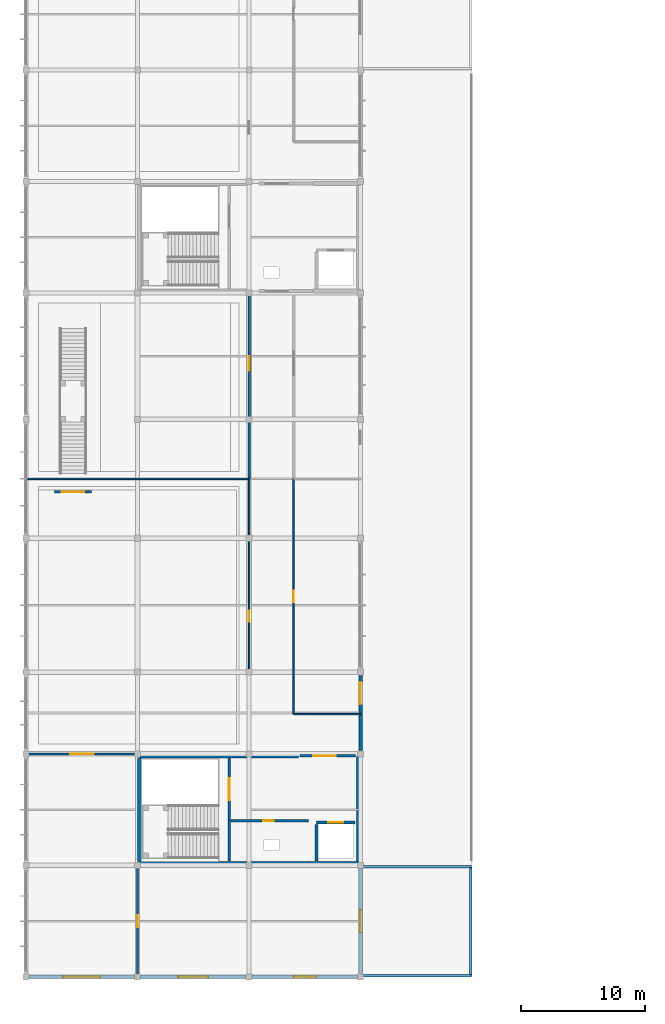
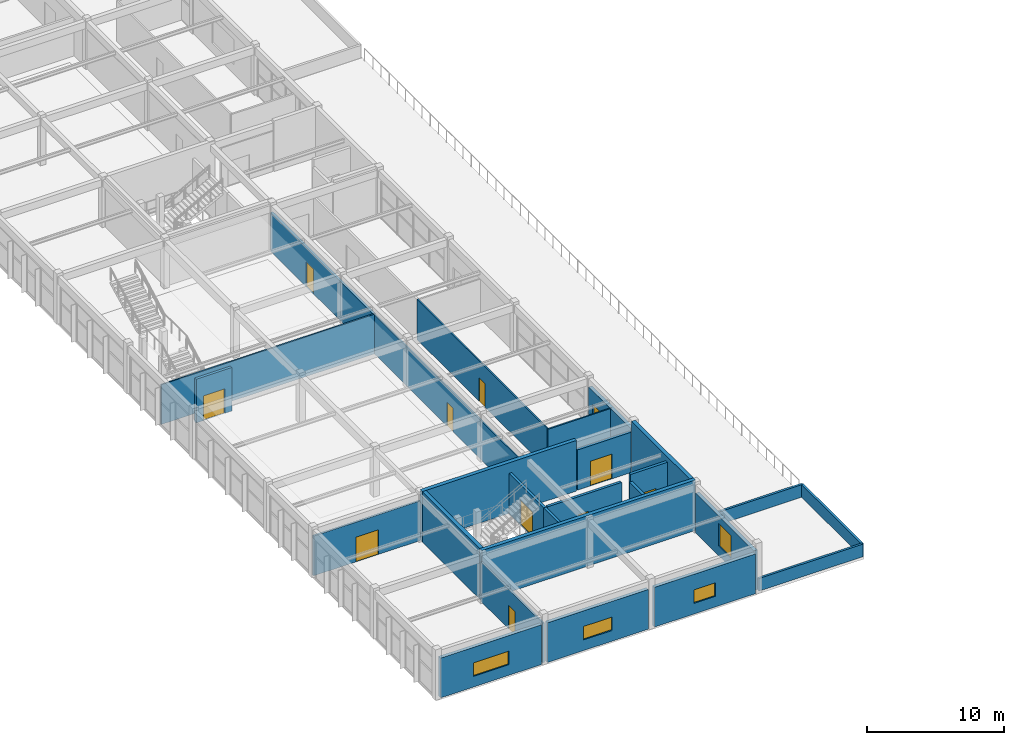
# One storey, part 14 of 22: 26 walls, 11 doors, 4 windows, 15 openings.
"""IFC4 building model written with IfcOpenShell, lengths in metres."""

from ifc_helpers import new_model, si_unit, direction, frame, frame_2d, origin, place, context, subcontext, project, spatial, rectangle, extrude, material, layer, layer_set, type_object, element, fill, save


model = new_model("IFC4")

# Units and contexts
model_context = context("Model", 3, precision=1e-05, world=origin(), true_north=direction((0.0, 1.0)))
body_context = subcontext(model_context, "Body", "Model", "MODEL_VIEW")
ifc_project = project(units=[si_unit("LENGTHUNIT", "METRE"), si_unit("AREAUNIT", "SQUARE_METRE"), si_unit("VOLUMEUNIT", "CUBIC_METRE"), si_unit("PLANEANGLEUNIT", "RADIAN"), si_unit("MASSUNIT", "GRAM", prefix="KILO")], contexts=[model_context])

# Site, building, storey
site_placement = place(None, origin())
site = spatial("IfcSite", under=ifc_project, at=site_placement, CompositionType="ELEMENT")
building_placement = place(site_placement, origin())
building = spatial("IfcBuilding", under=site, at=building_placement, Name="Suirenkawa Promenade Aquatics Centre", CompositionType="ELEMENT")
storey_placement = place(building_placement, frame((0.0, 0.0, 14.10009765625)))
storey = spatial("IfcBuildingStorey", under=building, at=storey_placement, Name="L03", CompositionType="ELEMENT", Elevation=14.10009765625)

# Wall, opening, door
ifc_material_1 = material(Name="Autoclaved aerated concrete blockwork Grade 1", Category="masonry")
ifc_layer_1 = layer(ifc_material_1, 0.199951171875, Name="Autoclaved aerated concrete blockwork Grade 1", Category="masonry")
ifc_layer_set_1 = layer_set([ifc_layer_1], Name="Autoclaved aerated concrete blockwork Grade 1")
wall_type_1 = type_object("IfcWallType", Name="WT-COMP-200", PredefinedType="PARTITIONING", material=ifc_layer_set_1)
wall_1_placement = place(storey_placement, frame((18.0, 44.39990234375, 0.0), z_axis=(0.0, 0.0, 1.0), x_axis=(0.0, 1.0, 0.0)))
wall_1 = element("IfcWall", 1, at=wall_1_placement, inside=storey, type_object=wall_type_1, Name="Interior wall WL-PRT-01 W-7280", PredefinedType="PARTITIONING", context=body_context, shape_type="SweptSolid", body=[
    extrude(rectangle(XDim=15.0, YDim=0.199951171875, at=frame_2d((7.5, 0.0))), origin(), (0.0, 0.0, 1.0), 3.48486328125),
])
opening_1_placement = place(wall_1_placement, frame((8.72509765625, 0.0, 0.0)))
opening_1 = element("IfcOpeningElement", 2, at=opening_1_placement, cuts=wall_1, Name="Opening ID-03", PredefinedType="OPENING", context=body_context, shape_type="SweptSolid", body=[
    extrude(rectangle(XDim=1.14990234375, YDim=2.199951171875, at=frame_2d((0.574951171875, 1.10009765625))), frame((0.0, 0.10986328125, 0.0), z_axis=(0.0, -1.0, 0.0), x_axis=(1.0, 0.0, 0.0)), (0.0, 0.0, 1.0), 0.219970703125),
])
ifc_material_2 = material(Name="Steel IS 2062 E350 (Grade 350)", Category="steel")
door_type_1 = type_object("IfcDoorType", Name="DT-FD120-1150x2200", OperationType="NOTDEFINED", PredefinedType="DOOR", material=ifc_material_2)
door_1_placement = place(opening_1_placement, origin())
door_1 = element("IfcDoor", 3, at=door_1_placement, inside=storey, type_object=door_type_1, Name="Interior door ID-03 DR-INT-0165", OperationType="SINGLE_SWING_LEFT", OverallHeight=2.199951171875, OverallWidth=1.14990234375, PredefinedType="DOOR", context=body_context, shape_type="SweptSolid", body=[
    extrude(rectangle(XDim=1.14990234375, YDim=2.199951171875, at=frame_2d((0.574951171875, 1.10009765625))), frame((0.0, 0.02490234375, 0.0), z_axis=(0.0, -1.0, 0.0), x_axis=(1.0, 0.0, 0.0)), (0.0, 0.0, 1.0), 0.050048828125),
])
fill(opening_1, door_1)

# Walls
ifc_material_3 = material(Name="Concrete M40", Category="concrete")
ifc_layer_2 = layer(ifc_material_3, 0.320068359375, Name="Concrete M40", Category="concrete")
ifc_layer_set_2 = layer_set([ifc_layer_2], Name="Concrete M40")
wall_type_2 = type_object("IfcWallType", Name="WT-CORE-320", PredefinedType="SHEAR", material=ifc_layer_set_2)
wall_2_placement = place(storey_placement, frame((9.0, 13.360107421875, 0.0), z_axis=(0.0, 0.0, 1.0), x_axis=(1.0, 0.0, 0.0)))
element("IfcWall", 4, at=wall_2_placement, inside=storey, type_object=wall_type_2, Name="C1 south core wall WL-CORE-01 W-0066", PredefinedType="SHEAR", context=body_context, shape_type="SweptSolid", body=[
    extrude(rectangle(XDim=18.0, YDim=0.320068359375, at=frame_2d((9.0, 0.0))), origin(), (0.0, 0.0, 1.0), 4.5),
])
wall_3_placement = place(storey_placement, frame((9.0, 22.0400390625, 0.0), z_axis=(0.0, 0.0, 1.0), x_axis=(1.0, 0.0, 0.0)))
element("IfcWall", 5, at=wall_3_placement, inside=storey, type_object=wall_type_2, Name="C1 north core wall WL-CORE-01 W-0067", PredefinedType="SHEAR", context=body_context, shape_type="SweptSolid", body=[
    extrude(rectangle(XDim=13.0, YDim=0.320068359375, at=frame_2d((6.5, 0.0))), origin(), (0.0, 0.0, 1.0), 4.5),
])
wall_4_placement = place(storey_placement, frame((9.159912109375, 13.52001953125, 0.0), z_axis=(0.0, 0.0, 1.0), x_axis=(0.0, 1.0, 0.0)))
element("IfcWall", 6, at=wall_4_placement, inside=storey, type_object=wall_type_2, Name="C1 west core wall WL-CORE-01 W-0068", PredefinedType="SHEAR", context=body_context, shape_type="SweptSolid", body=[
    extrude(rectangle(XDim=8.35986328125, YDim=0.320068359375, at=frame_2d((4.179931640625, 0.0))), origin(), (0.0, 0.0, 1.0), 4.5),
])
wall_5_placement = place(storey_placement, frame((26.840087890625, 13.52001953125, 0.0), z_axis=(0.0, 0.0, 1.0), x_axis=(0.0, 1.0, 0.0)))
element("IfcWall", 7, at=wall_5_placement, inside=storey, type_object=wall_type_2, Name="C1 east core wall WL-CORE-01 W-0069", PredefinedType="SHEAR", context=body_context, shape_type="SweptSolid", body=[
    extrude(rectangle(XDim=8.47998046875, YDim=0.320068359375, at=frame_2d((4.239990234375, 0.0))), origin(), (0.0, 0.0, 1.0), 4.5),
])

# Wall, opening, window
ifc_layer_3 = layer(ifc_material_3, 0.2900390625, Name="Concrete M40", Category="concrete")
ifc_layer_set_3 = layer_set([ifc_layer_3], Name="Concrete M40")
wall_type_3 = type_object("IfcWallType", Name="WT-EXT-290", PredefinedType="SOLIDWALL", material=ifc_layer_set_3)
wall_6_placement = place(storey_placement, frame((8.7451171875, 4.199951171875, 0.0), z_axis=(0.0, 0.0, 1.0), x_axis=(-1.0, 0.0, 0.0)))
wall_6 = element("IfcWall", 8, at=wall_6_placement, inside=storey, type_object=wall_type_3, Name="Exterior wall WL-EXT-03 W-5088", PredefinedType="SOLIDWALL", context=body_context, shape_type="SweptSolid", body=[
    extrude(rectangle(XDim=8.490234375, YDim=0.2900390625, at=frame_2d((4.2451171875, 0.0))), origin(), (0.0, 0.0, 1.0), 3.534912109375),
])
opening_2_placement = place(wall_6_placement, frame((2.7451171875, 0.0, 0.949951171875)))
opening_2 = element("IfcOpeningElement", 9, at=opening_2_placement, cuts=wall_6, Name="Opening WN-06", PredefinedType="OPENING", context=body_context, shape_type="SweptSolid", body=[
    extrude(rectangle(XDim=3.0, YDim=1.199951171875, at=frame_2d((1.5, 0.60009765625))), frame((0.0, 0.155029296875, 0.0), z_axis=(0.0, -1.0, 0.0), x_axis=(1.0, 0.0, 0.0)), (0.0, 0.0, 1.0), 0.31005859375),
])
ifc_material_4 = material(Name="Low-E thermally broken double glazing", Category="glass")
window_type_1 = type_object("IfcWindowType", Name="WNT-CLER-3000x1200", PartitioningType="SINGLE_PANEL", PredefinedType="WINDOW", material=ifc_material_4)
window_1_placement = place(opening_2_placement, origin())
window_1 = element("IfcWindow", 10, at=window_1_placement, inside=storey, type_object=window_type_1, Name="Window WN-06 WN-0035", OverallHeight=1.199951171875, OverallWidth=3.0, PartitioningType="SINGLE_PANEL", PredefinedType="WINDOW", context=body_context, shape_type="SweptSolid", body=[
    extrude(rectangle(XDim=3.0, YDim=1.199951171875, at=frame_2d((1.5, 0.60009765625))), frame((0.0, 0.030029296875, 0.0), z_axis=(0.0, -1.0, 0.0), x_axis=(1.0, 0.0, 0.0)), (0.0, 0.0, 1.0), 0.06005859375),
])
fill(opening_2, window_1)

wall_7_placement = place(storey_placement, frame((17.7451171875, 4.199951171875, 0.0), z_axis=(0.0, 0.0, 1.0), x_axis=(-1.0, 0.0, 0.0)))
wall_7 = element("IfcWall", 11, at=wall_7_placement, inside=storey, type_object=wall_type_3, Name="Exterior wall WL-EXT-03 W-5089", PredefinedType="SOLIDWALL", context=body_context, shape_type="SweptSolid", body=[
    extrude(rectangle(XDim=8.490234375, YDim=0.2900390625, at=frame_2d((4.2451171875, 0.0))), origin(), (0.0, 0.0, 1.0), 3.534912109375),
])
opening_3_placement = place(wall_7_placement, frame((3.044921875, 0.0, 0.949951171875)))
opening_3 = element("IfcOpeningElement", 12, at=opening_3_placement, cuts=wall_7, Name="Opening WN-07", PredefinedType="OPENING", context=body_context, shape_type="SweptSolid", body=[
    extrude(rectangle(XDim=2.39990234375, YDim=1.199951171875, at=frame_2d((1.199951171875, 0.60009765625))), frame((0.0, 0.155029296875, 0.0), z_axis=(0.0, -1.0, 0.0), x_axis=(1.0, 0.0, 0.0)), (0.0, 0.0, 1.0), 0.31005859375),
])
window_type_2 = type_object("IfcWindowType", Name="WNT-CLER-2400x1200", PartitioningType="SINGLE_PANEL", PredefinedType="WINDOW", material=ifc_material_4)
window_2_placement = place(opening_3_placement, origin())
window_2 = element("IfcWindow", 13, at=window_2_placement, inside=storey, type_object=window_type_2, Name="Window WN-07 WN-0036", OverallHeight=1.199951171875, OverallWidth=2.39990234375, PartitioningType="SINGLE_PANEL", PredefinedType="WINDOW", context=body_context, shape_type="SweptSolid", body=[
    extrude(rectangle(XDim=2.39990234375, YDim=1.199951171875, at=frame_2d((1.199951171875, 0.60009765625))), frame((0.0, 0.030029296875, 0.0), z_axis=(0.0, -1.0, 0.0), x_axis=(1.0, 0.0, 0.0)), (0.0, 0.0, 1.0), 0.06005859375),
])
fill(opening_3, window_2)

wall_8_placement = place(storey_placement, frame((26.7451171875, 4.199951171875, 0.0), z_axis=(0.0, 0.0, 1.0), x_axis=(-1.0, 0.0, 0.0)))
wall_8 = element("IfcWall", 14, at=wall_8_placement, inside=storey, type_object=wall_type_3, Name="Exterior wall WL-EXT-03 W-5090", PredefinedType="SOLIDWALL", context=body_context, shape_type="SweptSolid", body=[
    extrude(rectangle(XDim=8.490234375, YDim=0.2900390625, at=frame_2d((4.2451171875, 0.0))), origin(), (0.0, 0.0, 1.0), 3.534912109375),
])
opening_4_placement = place(wall_8_placement, frame((3.344970703125, 0.0, 0.949951171875)))
opening_4 = element("IfcOpeningElement", 15, at=opening_4_placement, cuts=wall_8, Name="Opening WN-08", PredefinedType="OPENING", context=body_context, shape_type="SweptSolid", body=[
    extrude(rectangle(XDim=1.800048828125, YDim=1.199951171875, at=frame_2d((0.89990234375, 0.60009765625))), frame((0.0, 0.155029296875, 0.0), z_axis=(0.0, -1.0, 0.0), x_axis=(1.0, 0.0, 0.0)), (0.0, 0.0, 1.0), 0.31005859375),
])
window_type_3 = type_object("IfcWindowType", Name="WNT-CLER-1800x1200", PartitioningType="SINGLE_PANEL", PredefinedType="WINDOW", material=ifc_material_4)
window_3_placement = place(opening_4_placement, origin())
window_3 = element("IfcWindow", 16, at=window_3_placement, inside=storey, type_object=window_type_3, Name="Window WN-08 WN-0037", OverallHeight=1.199951171875, OverallWidth=1.800048828125, PartitioningType="SINGLE_PANEL", PredefinedType="WINDOW", context=body_context, shape_type="SweptSolid", body=[
    extrude(rectangle(XDim=1.800048828125, YDim=1.199951171875, at=frame_2d((0.89990234375, 0.60009765625))), frame((0.0, 0.030029296875, 0.0), z_axis=(0.0, -1.0, 0.0), x_axis=(1.0, 0.0, 0.0)), (0.0, 0.0, 1.0), 0.06005859375),
])
fill(opening_4, window_3)

wall_9_placement = place(storey_placement, frame((27.0, 12.945068359375, 0.0), z_axis=(0.0, 0.0, 1.0), x_axis=(0.0, -1.0, 0.0)))
wall_9 = element("IfcWall", 17, at=wall_9_placement, inside=storey, type_object=wall_type_3, Name="Exterior wall WL-EXT-03 W-5115", PredefinedType="SOLIDWALL", context=body_context, shape_type="SweptSolid", body=[
    extrude(rectangle(XDim=8.489990234375, YDim=0.2900390625, at=frame_2d((4.2451171875, 0.0))), origin(), (0.0, 0.0, 1.0), 3.534912109375),
])
opening_5_placement = place(wall_9_placement, frame((3.344970703125, 0.0, 0.85009765625)))
opening_5 = element("IfcOpeningElement", 18, at=opening_5_placement, cuts=wall_9, Name="Opening WN-25", PredefinedType="OPENING", context=body_context, shape_type="SweptSolid", body=[
    extrude(rectangle(XDim=1.800048828125, YDim=2.0, at=frame_2d((0.89990234375, 1.0))), frame((0.0, 0.155029296875, 0.0), z_axis=(0.0, -1.0, 0.0), x_axis=(1.0, 0.0, 0.0)), (0.0, 0.0, 1.0), 0.31005859375),
])
window_type_4 = type_object("IfcWindowType", Name="WNT-VIEW-1800x2000", PartitioningType="SINGLE_PANEL", PredefinedType="WINDOW", material=ifc_material_4)
window_4_placement = place(opening_5_placement, origin())
window_4 = element("IfcWindow", 19, at=window_4_placement, inside=storey, type_object=window_type_4, Name="Window WN-25 WN-0054", OverallHeight=2.0, OverallWidth=1.800048828125, PartitioningType="SINGLE_PANEL", PredefinedType="WINDOW", context=body_context, shape_type="SweptSolid", body=[
    extrude(rectangle(XDim=1.800048828125, YDim=2.0, at=frame_2d((0.89990234375, 1.0))), frame((0.0, 0.030029296875, 0.0), z_axis=(0.0, -1.0, 0.0), x_axis=(1.0, 0.0, 0.0)), (0.0, 0.0, 1.0), 0.06005859375),
])
fill(opening_5, window_4)

# Wall, opening, door
wall_10_placement = place(storey_placement, frame((27.0, 28.544921875, 0.0), z_axis=(0.0, 0.0, 1.0), x_axis=(0.0, -1.0, 0.0)))
wall_10 = element("IfcWall", 20, at=wall_10_placement, inside=storey, type_object=wall_type_3, Name="Exterior wall WL-EXT-03 W-5116", PredefinedType="SOLIDWALL", context=body_context, shape_type="SweptSolid", body=[
    extrude(rectangle(XDim=6.08984375, YDim=0.2900390625, at=frame_2d((3.044921875, 0.0))), origin(), (0.0, 0.0, 1.0), 3.534912109375),
])
opening_6_placement = place(wall_10_placement, frame((0.550048828125, 0.0, 0.0)))
opening_6 = element("IfcOpeningElement", 21, at=opening_6_placement, cuts=wall_10, Name="Opening ED-07", PredefinedType="OPENING", context=body_context, shape_type="SweptSolid", body=[
    extrude(rectangle(XDim=1.800048828125, YDim=2.300048828125, at=frame_2d((0.89990234375, 1.14990234375))), frame((0.0, 0.155029296875, 0.0), z_axis=(0.0, -1.0, 0.0), x_axis=(1.0, 0.0, 0.0)), (0.0, 0.0, 1.0), 0.31005859375),
])
ifc_material_5 = material(Name="Anodised aluminium 6063-T6", Category="aluminium")
door_type_2 = type_object("IfcDoorType", Name="DT-EXT-TERR-1800x2300", OperationType="DOUBLE_DOOR_SINGLE_SWING", PredefinedType="DOOR", material=ifc_material_5)
door_2_placement = place(opening_6_placement, origin())
door_2 = element("IfcDoor", 22, at=door_2_placement, inside=storey, type_object=door_type_2, Name="Exterior door ED-07 DR-EXT-052", OperationType="DOUBLE_DOOR_SINGLE_SWING", OverallHeight=2.300048828125, OverallWidth=1.800048828125, PredefinedType="DOOR", context=body_context, shape_type="SweptSolid", body=[
    extrude(rectangle(XDim=1.800048828125, YDim=2.300048828125, at=frame_2d((0.89990234375, 1.14990234375))), frame((0.0, 0.02490234375, 0.0), z_axis=(0.0, -1.0, 0.0), x_axis=(1.0, 0.0, 0.0)), (0.0, 0.0, 1.0), 0.050048828125),
])
fill(opening_6, door_2)

ifc_material_6 = material(Name="Moisture-resistant acoustic gypsum board")
ifc_layer_4 = layer(ifc_material_6, 0.1201171875, Name="Moisture-resistant acoustic gypsum board")
ifc_layer_set_4 = layer_set([ifc_layer_4], Name="Moisture-resistant acoustic gypsum board")
wall_type_4 = type_object("IfcWallType", Name="WT-LIGHT-120", PredefinedType="PARTITIONING", material=ifc_layer_set_4)
wall_11_placement = place(storey_placement, frame((18.0, 22.199951171875, 0.0), z_axis=(0.0, 0.0, 1.0), x_axis=(0.0, 1.0, 0.0)))
wall_11 = element("IfcWall", 23, at=wall_11_placement, inside=storey, type_object=wall_type_4, Name="Interior wall WL-PRT-05 W-7278", PredefinedType="PARTITIONING", context=body_context, shape_type="SweptSolid", body=[
    extrude(rectangle(XDim=22.199951171875, YDim=0.1201171875, at=frame_2d((11.10009765625, 0.0))), origin(), (0.0, 0.0, 1.0), 3.48486328125),
])
opening_7_placement = place(wall_11_placement, frame((10.64990234375, 0.0, 0.0)))
opening_7 = element("IfcOpeningElement", 24, at=opening_7_placement, cuts=wall_11, Name="Opening ID-12", PredefinedType="OPENING", context=body_context, shape_type="SweptSolid", body=[
    extrude(rectangle(XDim=0.89990234375, YDim=2.10009765625, at=frame_2d((0.449951171875, 1.050048828125))), frame((0.0, 0.070068359375, 0.0), z_axis=(0.0, -1.0, 0.0), x_axis=(1.0, 0.0, 0.0)), (0.0, 0.0, 1.0), 0.14013671875),
])
ifc_material_7 = material(Name="Engineered maple acoustic sports timber", Category="wood")
door_type_3 = type_object("IfcDoorType", Name="DT-STD-900x2100", OperationType="NOTDEFINED", PredefinedType="DOOR", material=ifc_material_7)
door_3_placement = place(opening_7_placement, origin())
door_3 = element("IfcDoor", 25, at=door_3_placement, inside=storey, type_object=door_type_3, Name="Interior door ID-12 DR-INT-0164", OperationType="SINGLE_SWING_RIGHT", OverallHeight=2.10009765625, OverallWidth=0.89990234375, PredefinedType="DOOR", context=body_context, shape_type="SweptSolid", body=[
    extrude(rectangle(XDim=0.89990234375, YDim=2.10009765625, at=frame_2d((0.449951171875, 1.050048828125))), frame((0.0, 0.02490234375, 0.0), z_axis=(0.0, -1.0, 0.0), x_axis=(1.0, 0.0, 0.0)), (0.0, 0.0, 1.0), 0.050048828125),
])
fill(opening_7, door_3)

# Wall
wall_12_placement = place(storey_placement, frame((0.0, 44.39990234375, 0.0), z_axis=(0.0, 0.0, 1.0), x_axis=(1.0, 0.0, 0.0)))
element("IfcWall", 26, at=wall_12_placement, inside=storey, type_object=wall_type_4, Name="Interior wall WL-PRT-05 W-7279", PredefinedType="PARTITIONING", context=body_context, shape_type="SweptSolid", body=[
    extrude(rectangle(XDim=18.0, YDim=0.1201171875, at=frame_2d((9.0, 0.0))), origin(), (0.0, 0.0, 1.0), 3.534912109375),
])

# Wall, opening, door
wall_13_placement = place(storey_placement, frame((21.60009765625, 25.39990234375, 0.0), z_axis=(0.0, 0.0, 1.0), x_axis=(0.0, 1.0, 0.0)))
wall_13 = element("IfcWall", 27, at=wall_13_placement, inside=storey, type_object=wall_type_4, Name="Interior wall WL-PRT-05 W-7284", PredefinedType="PARTITIONING", context=body_context, shape_type="SweptSolid", body=[
    extrude(rectangle(XDim=19.0, YDim=0.1201171875, at=frame_2d((9.5, 0.0))), origin(), (0.0, 0.0, 1.0), 3.5849609375),
])
opening_8_placement = place(wall_13_placement, frame((9.050048828125, 0.0, 0.0)))
opening_8 = element("IfcOpeningElement", 28, at=opening_8_placement, cuts=wall_13, Name="Opening ID-12", PredefinedType="OPENING", context=body_context, shape_type="SweptSolid", body=[
    extrude(rectangle(XDim=0.89990234375, YDim=2.10009765625, at=frame_2d((0.449951171875, 1.050048828125))), frame((0.0, 0.070068359375, 0.0), z_axis=(0.0, -1.0, 0.0), x_axis=(1.0, 0.0, 0.0)), (0.0, 0.0, 1.0), 0.14013671875),
])
door_4_placement = place(opening_8_placement, origin())
door_4 = element("IfcDoor", 29, at=door_4_placement, inside=storey, type_object=door_type_3, Name="Interior door ID-12 DR-INT-0168", OperationType="SINGLE_SWING_LEFT", OverallHeight=2.10009765625, OverallWidth=0.89990234375, PredefinedType="DOOR", context=body_context, shape_type="SweptSolid", body=[
    extrude(rectangle(XDim=0.89990234375, YDim=2.10009765625, at=frame_2d((0.449951171875, 1.050048828125))), frame((0.0, 0.02490234375, 0.0), z_axis=(0.0, -1.0, 0.0), x_axis=(1.0, 0.0, 0.0)), (0.0, 0.0, 1.0), 0.050048828125),
])
fill(opening_8, door_4)

# Wall
wall_14_placement = place(storey_placement, frame((21.60009765625, 25.39990234375, 0.0), z_axis=(0.0, 0.0, 1.0), x_axis=(1.0, 0.0, 0.0)))
element("IfcWall", 30, at=wall_14_placement, inside=storey, type_object=wall_type_4, Name="Interior wall WL-PRT-05 W-7285", PredefinedType="PARTITIONING", context=body_context, shape_type="SweptSolid", body=[
    extrude(rectangle(XDim=5.39990234375, YDim=0.1201171875, at=frame_2d((2.699951171875, 0.0))), origin(), (0.0, 0.0, 1.0), 3.534912109375),
])

# Wall, opening, door
ifc_material_8 = material(Name="Concrete M35", Category="concrete")
ifc_layer_5 = layer(ifc_material_8, 0.219970703125, Name="Concrete M35", Category="concrete")
ifc_layer_set_5 = layer_set([ifc_layer_5], Name="Concrete M35")
wall_type_5 = type_object("IfcWallType", Name="WT-LOBBY-220", PredefinedType="PARTITIONING", material=ifc_layer_set_5)
wall_15_placement = place(storey_placement, frame((16.39990234375, 21.85009765625, 0.0), z_axis=(0.0, 0.0, 1.0), x_axis=(0.0, -1.0, 0.0)))
wall_15 = element("IfcWall", 31, at=wall_15_placement, inside=storey, type_object=wall_type_5, Name="Interior wall WL-LOB-01 W-7024", PredefinedType="PARTITIONING", context=body_context, shape_type="SweptSolid", body=[
    extrude(rectangle(XDim=5.050048828125, YDim=0.219970703125, at=frame_2d((2.52490234375, 0.0))), origin(), (0.0, 0.0, 1.0), 3.5849609375),
])
opening_9_placement = place(wall_15_placement, frame((1.60009765625, 0.0, 0.0)))
opening_9 = element("IfcOpeningElement", 32, at=opening_9_placement, cuts=wall_15, Name="Opening ID-02", PredefinedType="OPENING", context=body_context, shape_type="SweptSolid", body=[
    extrude(rectangle(XDim=1.800048828125, YDim=2.199951171875, at=frame_2d((0.89990234375, 1.10009765625))), frame((0.0, 0.119873046875, 0.0), z_axis=(0.0, -1.0, 0.0), x_axis=(1.0, 0.0, 0.0)), (0.0, 0.0, 1.0), 0.239990234375),
])
door_type_4 = type_object("IfcDoorType", Name="DT-FD120-1800x2200", OperationType="DOUBLE_DOOR_SINGLE_SWING", PredefinedType="DOOR", material=ifc_material_2)
door_5_placement = place(opening_9_placement, origin())
door_5 = element("IfcDoor", 33, at=door_5_placement, inside=storey, type_object=door_type_4, Name="Interior door ID-02 DR-INT-0016", OperationType="DOUBLE_DOOR_SINGLE_SWING", OverallHeight=2.199951171875, OverallWidth=1.800048828125, PredefinedType="DOOR", context=body_context, shape_type="SweptSolid", body=[
    extrude(rectangle(XDim=1.800048828125, YDim=2.199951171875, at=frame_2d((0.89990234375, 1.10009765625))), frame((0.0, 0.02490234375, 0.0), z_axis=(0.0, -1.0, 0.0), x_axis=(1.0, 0.0, 0.0)), (0.0, 0.0, 1.0), 0.050048828125),
])
fill(opening_9, door_5)

# Wall
wall_16_placement = place(storey_placement, frame((16.39990234375, 13.550048828125, 0.0), z_axis=(0.0, 0.0, 1.0), x_axis=(0.0, 1.0, 0.0)))
element("IfcWall", 34, at=wall_16_placement, inside=storey, type_object=wall_type_5, Name="Interior wall WL-LOB-01 W-7025", PredefinedType="PARTITIONING", context=body_context, shape_type="SweptSolid", body=[
    extrude(rectangle(XDim=3.25, YDim=0.219970703125, at=frame_2d((1.625, 0.0))), origin(), (0.0, 0.0, 1.0), 3.5849609375),
])

# Wall, opening, door
wall_17_placement = place(storey_placement, frame((16.550048828125, 16.800048828125, 0.0), z_axis=(0.0, 0.0, 1.0), x_axis=(1.0, 0.0, 0.0)))
wall_17 = element("IfcWall", 35, at=wall_17_placement, inside=storey, type_object=wall_type_5, Name="Interior wall WL-LOB-01 W-7026", PredefinedType="PARTITIONING", context=body_context, shape_type="SweptSolid", body=[
    extrude(rectangle(XDim=6.25, YDim=0.219970703125, at=frame_2d((3.125, 0.0))), origin(), (0.0, 0.0, 1.0), 3.635009765625),
])
opening_10_placement = place(wall_17_placement, frame((2.60009765625, 0.0, 0.0)))
opening_10 = element("IfcOpeningElement", 36, at=opening_10_placement, cuts=wall_17, Name="Opening ID-13", PredefinedType="OPENING", context=body_context, shape_type="SweptSolid", body=[
    extrude(rectangle(XDim=0.85009765625, YDim=2.050048828125, at=frame_2d((0.425048828125, 1.02490234375))), frame((0.0, 0.119873046875, 0.0), z_axis=(0.0, -1.0, 0.0), x_axis=(1.0, 0.0, 0.0)), (0.0, 0.0, 1.0), 0.239990234375),
])
door_type_5 = type_object("IfcDoorType", Name="DT-RISER-850x2050", OperationType="NOTDEFINED", PredefinedType="DOOR", material=ifc_material_2)
door_6_placement = place(opening_10_placement, origin())
door_6 = element("IfcDoor", 37, at=door_6_placement, inside=storey, type_object=door_type_5, Name="Interior door ID-13 DR-INT-0017", OperationType="SINGLE_SWING_RIGHT", OverallHeight=2.050048828125, OverallWidth=0.85009765625, PredefinedType="DOOR", context=body_context, shape_type="SweptSolid", body=[
    extrude(rectangle(XDim=0.85009765625, YDim=2.050048828125, at=frame_2d((0.425048828125, 1.02490234375))), frame((0.0, 0.02490234375, 0.0), z_axis=(0.0, -1.0, 0.0), x_axis=(1.0, 0.0, 0.0)), (0.0, 0.0, 1.0), 0.050048828125),
])
fill(opening_10, door_6)

wall_18_placement = place(storey_placement, frame((22.10009765625, 22.0400390625, 0.0), z_axis=(0.0, 0.0, 1.0), x_axis=(1.0, 0.0, 0.0)))
wall_18 = element("IfcWall", 38, at=wall_18_placement, inside=storey, type_object=wall_type_5, Name="Interior wall WL-LOB-01 W-7029", PredefinedType="PARTITIONING", context=body_context, shape_type="SweptSolid", body=[
    extrude(rectangle(XDim=4.5, YDim=0.219970703125, at=frame_2d((2.25, 0.0))), origin(), (0.0, 0.0, 1.0), 3.5849609375),
])
opening_11_placement = place(wall_18_placement, frame((1.10009765625, 0.0, 0.0)))
opening_11 = element("IfcOpeningElement", 39, at=opening_11_placement, cuts=wall_18, Name="Opening ID-02", PredefinedType="OPENING", context=body_context, shape_type="SweptSolid", body=[
    extrude(rectangle(XDim=1.800048828125, YDim=2.199951171875, at=frame_2d((0.89990234375, 1.10009765625))), frame((0.0, 0.119873046875, 0.0), z_axis=(0.0, -1.0, 0.0), x_axis=(1.0, 0.0, 0.0)), (0.0, 0.0, 1.0), 0.239990234375),
])
door_7_placement = place(opening_11_placement, origin())
door_7 = element("IfcDoor", 40, at=door_7_placement, inside=storey, type_object=door_type_4, Name="Interior door ID-02 DR-INT-0019", OperationType="DOUBLE_DOOR_SINGLE_SWING", OverallHeight=2.199951171875, OverallWidth=1.800048828125, PredefinedType="DOOR", context=body_context, shape_type="SweptSolid", body=[
    extrude(rectangle(XDim=1.800048828125, YDim=2.199951171875, at=frame_2d((0.89990234375, 1.10009765625))), frame((0.0, 0.02490234375, 0.0), z_axis=(0.0, -1.0, 0.0), x_axis=(1.0, 0.0, 0.0)), (0.0, 0.0, 1.0), 0.050048828125),
])
fill(opening_11, door_7)

wall_19_placement = place(storey_placement, frame((2.300048828125, 43.35009765625, 0.0), z_axis=(0.0, 0.0, 1.0), x_axis=(1.0, 0.0, 0.0)))
wall_19 = element("IfcWall", 41, at=wall_19_placement, inside=storey, type_object=wall_type_5, Name="Interior wall WL-LOB-01 W-7410", PredefinedType="PARTITIONING", context=body_context, shape_type="SweptSolid", body=[
    extrude(rectangle(XDim=3.0, YDim=0.219970703125, at=frame_2d((1.5, 0.0))), origin(), (0.0, 0.0, 1.0), 3.885009765625),
])
opening_12_placement = place(wall_19_placement, frame((0.60009765625, 0.0, 0.0)))
opening_12 = element("IfcOpeningElement", 42, at=opening_12_placement, cuts=wall_19, Name="Opening ID-02", PredefinedType="OPENING", context=body_context, shape_type="SweptSolid", body=[
    extrude(rectangle(XDim=1.800048828125, YDim=2.199951171875, at=frame_2d((0.89990234375, 1.10009765625))), frame((0.0, 0.119873046875, 0.0), z_axis=(0.0, -1.0, 0.0), x_axis=(1.0, 0.0, 0.0)), (0.0, 0.0, 1.0), 0.239990234375),
])
door_8_placement = place(opening_12_placement, origin())
door_8 = element("IfcDoor", 43, at=door_8_placement, inside=storey, type_object=door_type_4, Name="Interior door ID-02 DR-INT-0246", OperationType="DOUBLE_DOOR_SINGLE_SWING", OverallHeight=2.199951171875, OverallWidth=1.800048828125, PredefinedType="DOOR", context=body_context, shape_type="SweptSolid", body=[
    extrude(rectangle(XDim=1.800048828125, YDim=2.199951171875, at=frame_2d((0.89990234375, 1.10009765625))), frame((0.0, 0.02490234375, 0.0), z_axis=(0.0, -1.0, 0.0), x_axis=(1.0, 0.0, 0.0)), (0.0, 0.0, 1.0), 0.050048828125),
])
fill(opening_12, door_8)

# Walls
ifc_layer_6 = layer(ifc_material_3, 0.18994140625, Name="Concrete M40", Category="concrete")
ifc_layer_set_6 = layer_set([ifc_layer_6], Name="Concrete M40")
wall_type_6 = type_object("IfcWallType", Name="WT-PARAPET-190", PredefinedType="PARAPET", material=ifc_layer_set_6)
wall_20_placement = place(storey_placement, frame((27.14990234375, 13.080078125, 0.0), z_axis=(0.0, 0.0, 1.0), x_axis=(1.0, 0.0, 0.0)))
element("IfcWall", 44, at=wall_20_placement, inside=storey, type_object=wall_type_6, Name="Setback roof parapet WL-PAR-02 W-5145", PredefinedType="PARAPET", context=body_context, shape_type="SweptSolid", body=[
    extrude(rectangle(XDim=8.75, YDim=0.18994140625, at=frame_2d((4.375, 0.0))), origin(), (0.0, 0.0, 1.0), 1.119873046875),
])
wall_21_placement = place(storey_placement, frame((35.89990234375, 4.300048828125, 0.0), z_axis=(0.0, 0.0, 1.0), x_axis=(0.0, 1.0, 0.0)))
element("IfcWall", 45, at=wall_21_placement, inside=storey, type_object=wall_type_6, Name="Setback roof parapet WL-PAR-02 W-5146", PredefinedType="PARAPET", context=body_context, shape_type="SweptSolid", body=[
    extrude(rectangle(XDim=8.780029296875, YDim=0.18994140625, at=frame_2d((4.39013671875, 0.0))), origin(), (0.0, 0.0, 1.0), 1.119873046875),
])
wall_22_placement = place(storey_placement, frame((27.14990234375, 4.300048828125, 0.0), z_axis=(0.0, 0.0, 1.0), x_axis=(1.0, 0.0, 0.0)))
element("IfcWall", 46, at=wall_22_placement, inside=storey, type_object=wall_type_6, Name="Setback roof parapet WL-PAR-02 W-5147", PredefinedType="PARAPET", context=body_context, shape_type="SweptSolid", body=[
    extrude(rectangle(XDim=8.75, YDim=0.18994140625, at=frame_2d((4.375, 0.0))), origin(), (0.0, 0.0, 1.0), 1.119873046875),
])

# Wall, opening, door
ifc_layer_7 = layer(ifc_material_3, 0.239990234375, Name="Concrete M40", Category="concrete")
ifc_layer_set_7 = layer_set([ifc_layer_7], Name="Concrete M40")
wall_type_7 = type_object("IfcWallType", Name="WT-SHAFT-240", PredefinedType="SOLIDWALL", material=ifc_layer_set_7)
wall_23_placement = place(storey_placement, frame((23.449951171875, 16.64990234375, 0.0), z_axis=(0.0, 0.0, 1.0), x_axis=(1.0, 0.0, 0.0)))
wall_23 = element("IfcWall", 47, at=wall_23_placement, inside=storey, type_object=wall_type_7, Name="Interior wall WL-SHF-01 W-7027", PredefinedType="SOLIDWALL", context=body_context, shape_type="SweptSolid", body=[
    extrude(rectangle(XDim=3.10009765625, YDim=0.239990234375, at=frame_2d((1.550048828125, 0.0))), origin(), (0.0, 0.0, 1.0), 4.204833984375),
])
opening_13_placement = place(wall_23_placement, frame((0.949951171875, 0.0, 0.0)))
opening_13 = element("IfcOpeningElement", 48, at=opening_13_placement, cuts=wall_23, Name="Opening LD-02", PredefinedType="OPENING", context=body_context, shape_type="SweptSolid", body=[
    extrude(rectangle(XDim=1.199951171875, YDim=2.199951171875, at=frame_2d((0.60009765625, 1.10009765625))), frame((0.0, 0.1298828125, 0.0), z_axis=(0.0, -1.0, 0.0), x_axis=(1.0, 0.0, 0.0)), (0.0, 0.0, 1.0), 0.260009765625),
])
ifc_material_9 = material(Name="Marine-grade stainless steel Grade 316L", Category="steel")
door_type_6 = type_object("IfcDoorType", Name="DT-LIFT-1200x2200", OperationType="DOUBLE_DOOR_SLIDING", PredefinedType="DOOR", material=ifc_material_9)
door_9_placement = place(opening_13_placement, origin())
door_9 = element("IfcDoor", 49, at=door_9_placement, inside=storey, type_object=door_type_6, Name="Landing door LD-02 DR-INT-0018", OperationType="DOUBLE_DOOR_SLIDING", OverallHeight=2.199951171875, OverallWidth=1.199951171875, PredefinedType="DOOR", context=body_context, shape_type="SweptSolid", body=[
    extrude(rectangle(XDim=1.199951171875, YDim=2.199951171875, at=frame_2d((0.60009765625, 1.10009765625))), frame((0.0, 0.02490234375, 0.0), z_axis=(0.0, -1.0, 0.0), x_axis=(1.0, 0.0, 0.0)), (0.0, 0.0, 1.0), 0.050048828125),
])
fill(opening_13, door_9)

# Wall
wall_24_placement = place(storey_placement, frame((23.449951171875, 13.550048828125, 0.0), z_axis=(0.0, 0.0, 1.0), x_axis=(0.0, 1.0, 0.0)))
element("IfcWall", 50, at=wall_24_placement, inside=storey, type_object=wall_type_7, Name="Interior wall WL-SHF-01 W-7028", PredefinedType="SOLIDWALL", context=body_context, shape_type="SweptSolid", body=[
    extrude(rectangle(XDim=2.949951171875, YDim=0.239990234375, at=frame_2d((1.47509765625, 0.0))), origin(), (0.0, 0.0, 1.0), 3.5849609375),
])

# Wall, opening, door
ifc_layer_8 = layer(ifc_material_6, 0.139892578125, Name="Moisture-resistant acoustic gypsum board")
ifc_layer_set_8 = layer_set([ifc_layer_8], Name="Moisture-resistant acoustic gypsum board")
wall_type_8 = type_object("IfcWallType", Name="WT-STD-140", PredefinedType="PARTITIONING", material=ifc_layer_set_8)
wall_25_placement = place(storey_placement, frame((9.0, 4.199951171875, 0.0), z_axis=(0.0, 0.0, 1.0), x_axis=(0.0, 1.0, 0.0)))
wall_25 = element("IfcWall", 51, at=wall_25_placement, inside=storey, type_object=wall_type_8, Name="Interior wall WL-PRT-04 W-7293", PredefinedType="PARTITIONING", context=body_context, shape_type="SweptSolid", body=[
    extrude(rectangle(XDim=9.0, YDim=0.139892578125, at=frame_2d((4.5, 0.0))), origin(), (0.0, 0.0, 1.0), 3.534912109375),
])
opening_14_placement = place(wall_25_placement, frame((4.02490234375, 0.0, 0.0)))
opening_14 = element("IfcOpeningElement", 52, at=opening_14_placement, cuts=wall_25, Name="Opening ID-11", PredefinedType="OPENING", context=body_context, shape_type="SweptSolid", body=[
    extrude(rectangle(XDim=0.949951171875, YDim=2.10009765625, at=frame_2d((0.47509765625, 1.050048828125))), frame((0.0, 0.079833984375, 0.0), z_axis=(0.0, -1.0, 0.0), x_axis=(1.0, 0.0, 0.0)), (0.0, 0.0, 1.0), 0.159912109375),
])
door_type_7 = type_object("IfcDoorType", Name="DT-STD-950x2100", OperationType="NOTDEFINED", PredefinedType="DOOR", material=ifc_material_7)
door_10_placement = place(opening_14_placement, origin())
door_10 = element("IfcDoor", 53, at=door_10_placement, inside=storey, type_object=door_type_7, Name="Interior door ID-11 DR-INT-0173", OperationType="SINGLE_SWING_RIGHT", OverallHeight=2.10009765625, OverallWidth=0.949951171875, PredefinedType="DOOR", context=body_context, shape_type="SweptSolid", body=[
    extrude(rectangle(XDim=0.949951171875, YDim=2.10009765625, at=frame_2d((0.47509765625, 1.050048828125))), frame((0.0, 0.02490234375, 0.0), z_axis=(0.0, -1.0, 0.0), x_axis=(1.0, 0.0, 0.0)), (0.0, 0.0, 1.0), 0.050048828125),
])
fill(opening_14, door_10)

ifc_layer_9 = layer(ifc_material_1, 0.159912109375, Name="Autoclaved aerated concrete blockwork Grade 1", Category="masonry")
ifc_layer_set_9 = layer_set([ifc_layer_9], Name="Autoclaved aerated concrete blockwork Grade 1")
wall_type_9 = type_object("IfcWallType", Name="WT-WET-160", PredefinedType="PARTITIONING", material=ifc_layer_set_9)
wall_26_placement = place(storey_placement, frame((0.0, 22.199951171875, 0.0), z_axis=(0.0, 0.0, 1.0), x_axis=(1.0, 0.0, 0.0)))
wall_26 = element("IfcWall", 54, at=wall_26_placement, inside=storey, type_object=wall_type_9, Name="Interior wall WL-PRT-03 W-7283", PredefinedType="PARTITIONING", context=body_context, shape_type="SweptSolid", body=[
    extrude(rectangle(XDim=9.0, YDim=0.159912109375, at=frame_2d((4.5, 0.0))), origin(), (0.0, 0.0, 1.0), 3.534912109375),
])
opening_15_placement = place(wall_26_placement, frame((3.550048828125, 0.0, 0.0)))
opening_15 = element("IfcOpeningElement", 55, at=opening_15_placement, cuts=wall_26, Name="Opening DR-FD60", PredefinedType="OPENING", context=body_context, shape_type="SweptSolid", body=[
    extrude(rectangle(XDim=1.89990234375, YDim=2.199951171875, at=frame_2d((0.949951171875, 1.10009765625))), frame((0.0, 0.08984375, 0.0), z_axis=(0.0, -1.0, 0.0), x_axis=(1.0, 0.0, 0.0)), (0.0, 0.0, 1.0), 0.179931640625),
])
door_type_8 = type_object("IfcDoorType", Name="DT-FD60-1900x2200", OperationType="DOUBLE_DOOR_SINGLE_SWING", PredefinedType="DOOR", material=ifc_material_7)
door_11_placement = place(opening_15_placement, origin())
door_11 = element("IfcDoor", 56, at=door_11_placement, inside=storey, type_object=door_type_8, Name="Interior door DR-FD60 DR-INT-0167", OperationType="DOUBLE_DOOR_SINGLE_SWING", OverallHeight=2.199951171875, OverallWidth=1.89990234375, PredefinedType="DOOR", context=body_context, shape_type="SweptSolid", body=[
    extrude(rectangle(XDim=1.89990234375, YDim=2.199951171875, at=frame_2d((0.949951171875, 1.10009765625))), frame((0.0, 0.02490234375, 0.0), z_axis=(0.0, -1.0, 0.0), x_axis=(1.0, 0.0, 0.0)), (0.0, 0.0, 1.0), 0.050048828125),
])
fill(opening_15, door_11)

save(model, "model.ifc")
